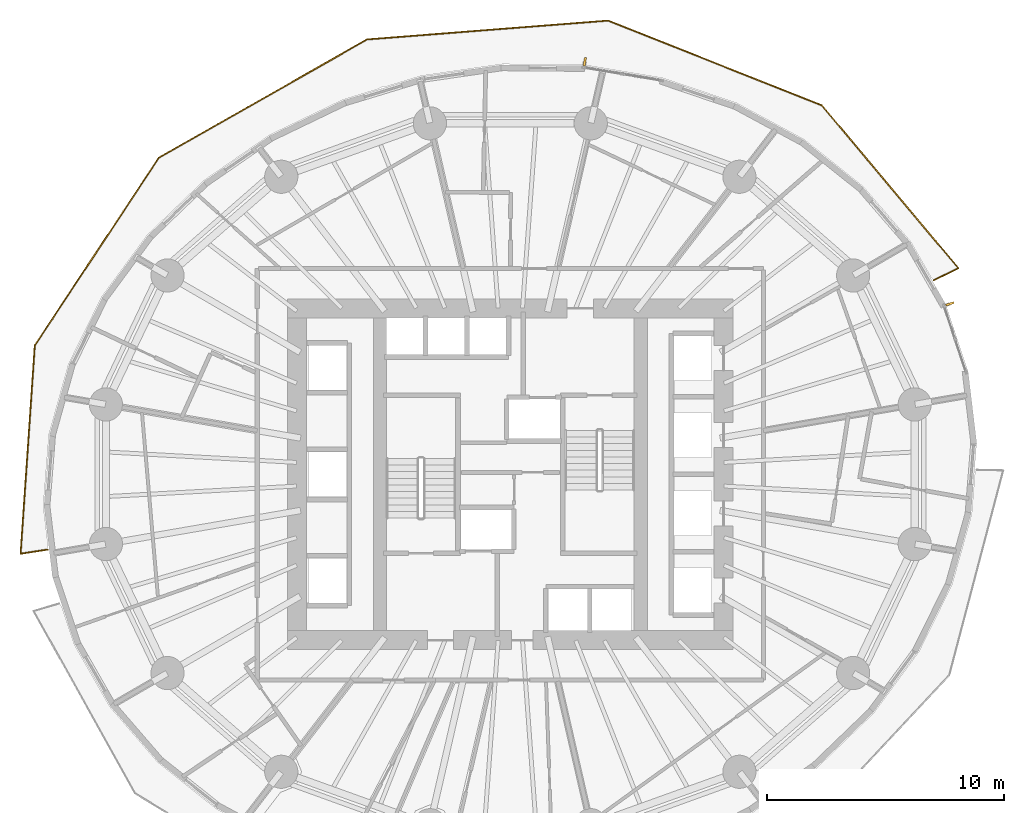
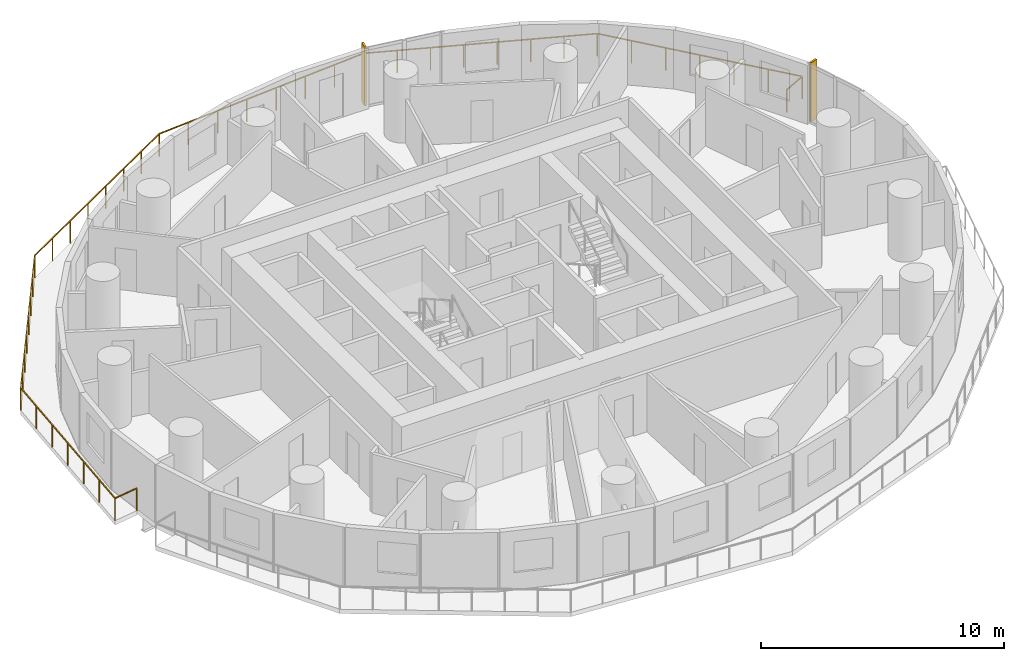
# One storey, part 13 of 13: 2 shading devices, 1 railing.
"""IFC4 building model written with IfcOpenShell, lengths in metres."""

from ifc_helpers import new_model, si_unit, direction, frame, origin, origin_2d, place, context, subcontext, project, spatial, rectangle, extrude, material, layer, layer_set, type_object, element, save


model = new_model("IFC4")

# Units and contexts
model_context = context("Model", 3, precision=1e-05, world=origin(), true_north=direction((0.0, 1.0)))
body_context = subcontext(model_context, "Body", "Model", "MODEL_VIEW")
ifc_project = project(units=[si_unit("LENGTHUNIT", "METRE"), si_unit("AREAUNIT", "SQUARE_METRE"), si_unit("VOLUMEUNIT", "CUBIC_METRE"), si_unit("PLANEANGLEUNIT", "RADIAN"), si_unit("MASSUNIT", "GRAM", prefix="KILO")], contexts=[model_context])

# Site, building, storey
site_placement = place(None, origin())
site = spatial("IfcSite", under=ifc_project, at=site_placement, CompositionType="ELEMENT")
building_placement = place(site_placement, origin())
building = spatial("IfcBuilding", under=site, at=building_placement, Name="Veldorim Arch Residences", CompositionType="ELEMENT")
storey_placement = place(building_placement, frame((0.0, 0.0, 56.800048828125)))
storey = spatial("IfcBuildingStorey", under=building, at=storey_placement, Name="L16", CompositionType="ELEMENT", Elevation=56.800048828125)

# Railing
ifc_material_1 = material(Name="Aluminium", Category="aluminium")
railing_type = type_object("IfcRailingType", Name="Balcony & Terrace Laminated Glass Balustrade 1150", PredefinedType="BALUSTRADE", material=ifc_material_1)
railing_placement = place(storey_placement, frame((49.875, 32.190185546875, 0.0)))
element("IfcRailing", 1, at=railing_placement, inside=storey, type_object=railing_type, Name="L16 crescent balcony safety balustrade A", PredefinedType="BALUSTRADE", context=body_context, shape_type="SweptSolid", body=[
    extrude(rectangle(XDim=0.048095703125, YDim=0.048095703125, at=origin_2d()), frame((0.0, 0.0, 1.1259765625), z_axis=(0.895950601999, 0.444153710754, 0.0), x_axis=(-0.444153710754, 0.895950601999, 0.0)), (0.0, 0.0, 1.0), 1.14990234375),
    extrude(rectangle(XDim=0.048095703125, YDim=0.048095703125, at=origin_2d()), frame((1.0302734375, 0.5107421875, 1.1259765625), z_axis=(-0.64247859791, 0.766303628614, 0.0), x_axis=(-0.766303628614, -0.64247859791, 0.0)), (0.0, 0.0, 1.0), 8.959228515625),
    extrude(rectangle(XDim=0.048095703125, YDim=0.048095703125, at=origin_2d()), frame((-4.725830078125, 7.376220703125, 1.1259765625), z_axis=(-0.929508501157, 0.368800686385, 0.0), x_axis=(-0.368800686385, -0.929508501157, 0.0)), (0.0, 0.0, 1.0), 9.7080078125),
    extrude(rectangle(XDim=0.048095703125, YDim=0.048095703125, at=origin_2d()), frame((-13.74951171875, 10.95654296875, 1.1259765625), z_axis=(-0.99695865445, -0.077932286749, 0.0), x_axis=(0.077932286749, -0.99695865445, 0.0)), (0.0, 0.0, 1.0), 10.197021484375),
    extrude(rectangle(XDim=0.048095703125, YDim=0.048095703125, at=origin_2d()), frame((-23.91552734375, 10.161865234375, 1.1259765625), z_axis=(-0.869677225372, -0.493620829858, 0.0), x_axis=(0.493620829858, -0.869677225372, 0.0)), (0.0, 0.0, 1.0), 10.10498046875),
    extrude(rectangle(XDim=0.048095703125, YDim=0.048095703125, at=origin_2d()), frame((-32.70361328125, 5.173828125, 1.1259765625), z_axis=(-0.551512110635, -0.834166884876, 0.0), x_axis=(0.834166884876, -0.551512110635, 0.0)), (0.0, 0.0, 1.0), 9.501953125),
    extrude(rectangle(XDim=0.048095703125, YDim=0.048095703125, at=origin_2d()), frame((-37.944091796875, -2.75244140625, 1.1259765625), z_axis=(-0.06801010088, -0.997684632626, 0.0), x_axis=(0.997684632626, -0.06801010088, 0.0)), (0.0, 0.0, 1.0), 8.81298828125),
    extrude(rectangle(XDim=0.048095703125, YDim=0.048095703125, at=origin_2d()), frame((-38.54345703125, -11.544921875, 1.1259765625), z_axis=(0.988381512065, 0.151993376855, 0.0), x_axis=(-0.151993376855, 0.988381512065, 0.0)), (0.0, 0.0, 1.0), 1.150146484375),
    extrude(rectangle(XDim=0.0419921875, YDim=0.0419921875, at=origin_2d()), origin(), (0.0, 0.0, 1.0), 1.101806640625),
    extrude(rectangle(XDim=0.0419921875, YDim=0.0419921875, at=origin_2d()), frame((1.0302734375, 0.5107421875, 0.0)), (0.0, 0.0, 1.0), 1.101806640625),
    extrude(rectangle(XDim=0.0419921875, YDim=0.0419921875, at=origin_2d()), frame((0.07080078125, 1.655029296875, 0.0)), (0.0, 0.0, 1.0), 1.101806640625),
    extrude(rectangle(XDim=0.0419921875, YDim=0.0419921875, at=origin_2d()), frame((-0.888427734375, 2.79931640625, 0.0)), (0.0, 0.0, 1.0), 1.101806640625),
    extrude(rectangle(XDim=0.0419921875, YDim=0.0419921875, at=origin_2d()), frame((-1.84765625, 3.943359375, 0.0)), (0.0, 0.0, 1.0), 1.101806640625),
    extrude(rectangle(XDim=0.0419921875, YDim=0.0419921875, at=origin_2d()), frame((-2.80712890625, 5.087646484375, 0.0)), (0.0, 0.0, 1.0), 1.101806640625),
    extrude(rectangle(XDim=0.0419921875, YDim=0.0419921875, at=origin_2d()), frame((-3.7666015625, 6.23193359375, 0.0)), (0.0, 0.0, 1.0), 1.101806640625),
    extrude(rectangle(XDim=0.0419921875, YDim=0.0419921875, at=origin_2d()), frame((-4.725830078125, 7.376220703125, 0.0)), (0.0, 0.0, 1.0), 1.101806640625),
    extrude(rectangle(XDim=0.0419921875, YDim=0.0419921875, at=origin_2d()), frame((-6.014892578125, 7.8876953125, 0.0)), (0.0, 0.0, 1.0), 1.101806640625),
    extrude(rectangle(XDim=0.0419921875, YDim=0.0419921875, at=origin_2d()), frame((-7.303955078125, 8.399169921875, 0.0)), (0.0, 0.0, 1.0), 1.101806640625),
    extrude(rectangle(XDim=0.0419921875, YDim=0.0419921875, at=origin_2d()), frame((-8.593017578125, 8.91064453125, 0.0)), (0.0, 0.0, 1.0), 1.101806640625),
    extrude(rectangle(XDim=0.0419921875, YDim=0.0419921875, at=origin_2d()), frame((-9.88232421875, 9.422119140625, 0.0)), (0.0, 0.0, 1.0), 1.101806640625),
    extrude(rectangle(XDim=0.0419921875, YDim=0.0419921875, at=origin_2d()), frame((-11.17138671875, 9.93359375, 0.0)), (0.0, 0.0, 1.0), 1.101806640625),
    extrude(rectangle(XDim=0.0419921875, YDim=0.0419921875, at=origin_2d()), frame((-12.46044921875, 10.445068359375, 0.0)), (0.0, 0.0, 1.0), 1.101806640625),
    extrude(rectangle(XDim=0.0419921875, YDim=0.0419921875, at=origin_2d()), frame((-13.74951171875, 10.95654296875, 0.0)), (0.0, 0.0, 1.0), 1.101806640625),
    extrude(rectangle(XDim=0.0419921875, YDim=0.0419921875, at=origin_2d()), frame((-15.201904296875, 10.843017578125, 0.0)), (0.0, 0.0, 1.0), 1.101806640625),
    extrude(rectangle(XDim=0.0419921875, YDim=0.0419921875, at=origin_2d()), frame((-16.654052734375, 10.7294921875, 0.0)), (0.0, 0.0, 1.0), 1.101806640625),
    extrude(rectangle(XDim=0.0419921875, YDim=0.0419921875, at=origin_2d()), frame((-18.1064453125, 10.615966796875, 0.0)), (0.0, 0.0, 1.0), 1.101806640625),
    extrude(rectangle(XDim=0.0419921875, YDim=0.0419921875, at=origin_2d()), frame((-19.55859375, 10.50244140625, 0.0)), (0.0, 0.0, 1.0), 1.101806640625),
    extrude(rectangle(XDim=0.0419921875, YDim=0.0419921875, at=origin_2d()), frame((-21.010986328125, 10.388916015625, 0.0)), (0.0, 0.0, 1.0), 1.101806640625),
    extrude(rectangle(XDim=0.0419921875, YDim=0.0419921875, at=origin_2d()), frame((-22.463134765625, 10.275390625, 0.0)), (0.0, 0.0, 1.0), 1.101806640625),
    extrude(rectangle(XDim=0.0419921875, YDim=0.0419921875, at=origin_2d()), frame((-23.91552734375, 10.161865234375, 0.0)), (0.0, 0.0, 1.0), 1.101806640625),
    extrude(rectangle(XDim=0.0419921875, YDim=0.0419921875, at=origin_2d()), frame((-25.1708984375, 9.44921875, 0.0)), (0.0, 0.0, 1.0), 1.101806640625),
    extrude(rectangle(XDim=0.0419921875, YDim=0.0419921875, at=origin_2d()), frame((-26.426513671875, 8.73681640625, 0.0)), (0.0, 0.0, 1.0), 1.101806640625),
    extrude(rectangle(XDim=0.0419921875, YDim=0.0419921875, at=origin_2d()), frame((-27.681884765625, 8.024169921875, 0.0)), (0.0, 0.0, 1.0), 1.101806640625),
    extrude(rectangle(XDim=0.0419921875, YDim=0.0419921875, at=origin_2d()), frame((-28.937255859375, 7.3115234375, 0.0)), (0.0, 0.0, 1.0), 1.101806640625),
    extrude(rectangle(XDim=0.0419921875, YDim=0.0419921875, at=origin_2d()), frame((-30.192626953125, 6.598876953125, 0.0)), (0.0, 0.0, 1.0), 1.101806640625),
    extrude(rectangle(XDim=0.0419921875, YDim=0.0419921875, at=origin_2d()), frame((-31.4482421875, 5.886474609375, 0.0)), (0.0, 0.0, 1.0), 1.101806640625),
    extrude(rectangle(XDim=0.0419921875, YDim=0.0419921875, at=origin_2d()), frame((-32.70361328125, 5.173828125, 0.0)), (0.0, 0.0, 1.0), 1.101806640625),
    extrude(rectangle(XDim=0.0419921875, YDim=0.0419921875, at=origin_2d()), frame((-33.4521484375, 4.04150390625, 0.0)), (0.0, 0.0, 1.0), 1.101806640625),
    extrude(rectangle(XDim=0.0419921875, YDim=0.0419921875, at=origin_2d()), frame((-34.200927734375, 2.9091796875, 0.0)), (0.0, 0.0, 1.0), 1.101806640625),
    extrude(rectangle(XDim=0.0419921875, YDim=0.0419921875, at=origin_2d()), frame((-34.949462890625, 1.77685546875, 0.0)), (0.0, 0.0, 1.0), 1.101806640625),
    extrude(rectangle(XDim=0.0419921875, YDim=0.0419921875, at=origin_2d()), frame((-35.6982421875, 0.64453125, 0.0)), (0.0, 0.0, 1.0), 1.101806640625),
    extrude(rectangle(XDim=0.0419921875, YDim=0.0419921875, at=origin_2d()), frame((-36.44677734375, -0.48779296875, 0.0)), (0.0, 0.0, 1.0), 1.101806640625),
    extrude(rectangle(XDim=0.0419921875, YDim=0.0419921875, at=origin_2d()), frame((-37.195556640625, -1.6201171875, 0.0)), (0.0, 0.0, 1.0), 1.101806640625),
    extrude(rectangle(XDim=0.0419921875, YDim=0.0419921875, at=origin_2d()), frame((-37.944091796875, -2.75244140625, 0.0)), (0.0, 0.0, 1.0), 1.101806640625),
    extrude(rectangle(XDim=0.0419921875, YDim=0.0419921875, at=origin_2d()), frame((-38.0439453125, -4.2177734375, 0.0)), (0.0, 0.0, 1.0), 1.101806640625),
    extrude(rectangle(XDim=0.0419921875, YDim=0.0419921875, at=origin_2d()), frame((-38.143798828125, -5.683349609375, 0.0)), (0.0, 0.0, 1.0), 1.101806640625),
    extrude(rectangle(XDim=0.0419921875, YDim=0.0419921875, at=origin_2d()), frame((-38.24365234375, -7.148681640625, 0.0)), (0.0, 0.0, 1.0), 1.101806640625),
    extrude(rectangle(XDim=0.0419921875, YDim=0.0419921875, at=origin_2d()), frame((-38.34375, -8.614013671875, 0.0)), (0.0, 0.0, 1.0), 1.101806640625),
    extrude(rectangle(XDim=0.0419921875, YDim=0.0419921875, at=origin_2d()), frame((-38.443603515625, -10.07958984375, 0.0)), (0.0, 0.0, 1.0), 1.101806640625),
    extrude(rectangle(XDim=0.0419921875, YDim=0.0419921875, at=origin_2d()), frame((-38.54345703125, -11.544921875, 0.0)), (0.0, 0.0, 1.0), 1.101806640625),
    extrude(rectangle(XDim=0.0419921875, YDim=0.0419921875, at=origin_2d()), frame((-37.40673828125, -11.3701171875, 0.0)), (0.0, 0.0, 1.0), 1.101806640625),
])

# Shading devices
ifc_material_2 = material(Name="Terracotta Ceramic", Category="masonry")
ifc_layer = layer(ifc_material_2, 0.090087890625, Name="Vertical Extruded Terracotta Baguette Sun-Shading Fin")
ifc_layer_set = layer_set([ifc_layer], Name="Terracotta Ceramic")
shading_device_type = type_object("IfcShadingDeviceType", Name="Vertical Extruded Terracotta Baguette Sun-Shading Fin", PredefinedType="USERDEFINED", material=ifc_layer_set)
for number, where, z_axis, x_axis, name in (
    (2, (50.552001953125, 31.19189453125, 0.0), (0.0, 0.0, 1.0), (0.314820866332, -0.949151106053, 0.0), "L16 vertical terracotta sun-shading fin 01"),
    (3, (35.1435546875, 41.41552734375, 0.0), (0.0, 0.0, 1.0), (0.986429257176, -0.164186846569, 0.0), "L16 vertical terracotta sun-shading fin 07"),
):
    element("IfcShadingDevice", number, at=place(storey_placement, frame(where, z_axis=z_axis, x_axis=x_axis)), inside=storey, type_object=shading_device_type, Name=name, ObjectType="FIN", PredefinedType="USERDEFINED", context=body_context, shape_type="SweptSolid", body=[
        extrude(rectangle(XDim=0.090087890625, YDim=0.360107421875, at=origin_2d()), origin(), (0.0, 0.0, 1.0), 2.9599609375),
    ])

save(model, "model.ifc")
